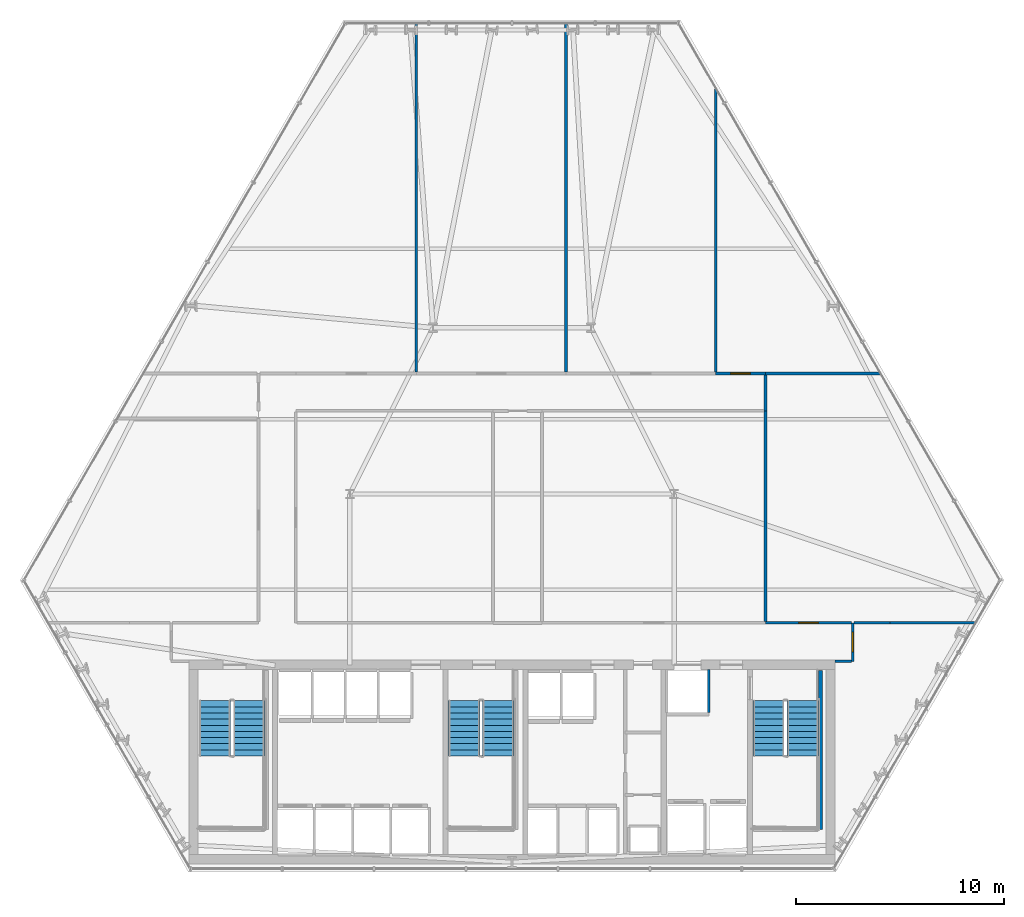
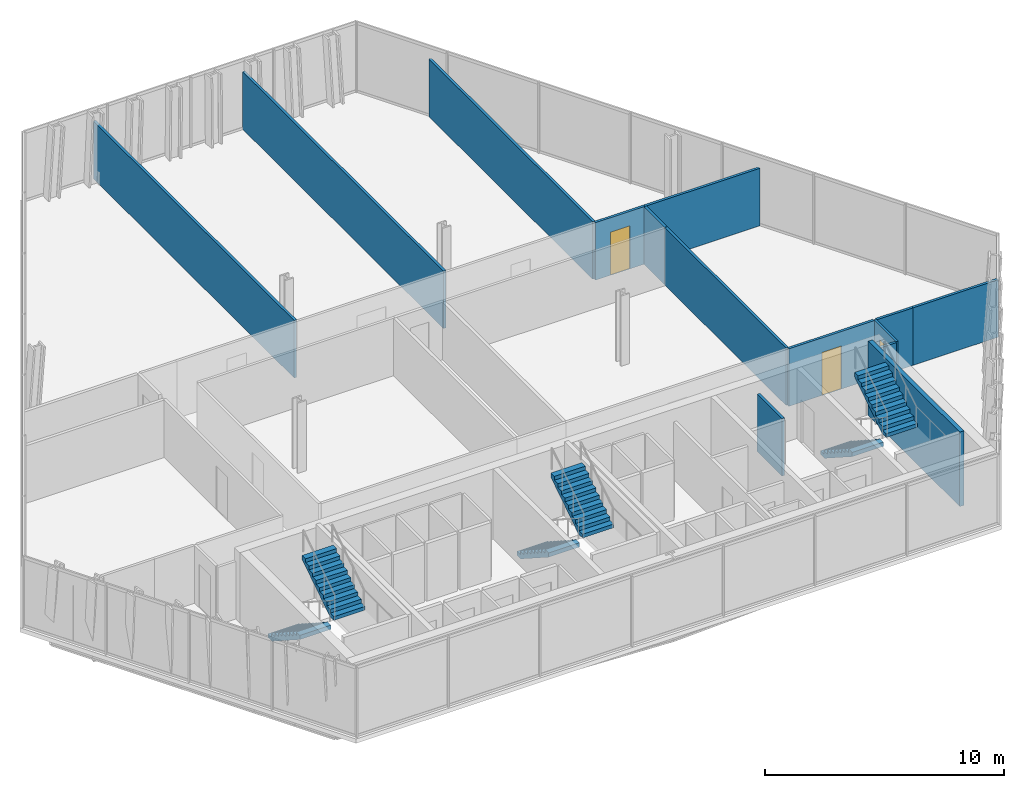
# One storey, part 29 of 32: 14 walls, 6 stair flights, 3 doors, 3 openings, 3 elements without a shape of their own.
"""IFC4 building model written with IfcOpenShell, lengths in metres."""

from ifc_helpers import new_model, si_unit, direction, frame, frame_2d, origin, place, context, subcontext, project, spatial, polyline, rectangle, outline, extrude, material, layer, layer_set, type_object, element, fill, aggregate, save


model = new_model("IFC4")

# Units and contexts
model_context = context("Model", 3, precision=1e-05, world=origin(), true_north=direction((0.0, 1.0)))
body_context = subcontext(model_context, "Body", "Model", "MODEL_VIEW")
ifc_project = project(units=[si_unit("LENGTHUNIT", "METRE"), si_unit("AREAUNIT", "SQUARE_METRE"), si_unit("VOLUMEUNIT", "CUBIC_METRE"), si_unit("PLANEANGLEUNIT", "RADIAN"), si_unit("MASSUNIT", "GRAM", prefix="KILO")], contexts=[model_context])

# Site, building, storey
site_placement = place(None, origin())
site = spatial("IfcSite", under=ifc_project, at=site_placement, CompositionType="ELEMENT")
building_placement = place(site_placement, origin())
building = spatial("IfcBuilding", under=site, at=building_placement, Name="Ndaravel Arena Tower", CompositionType="ELEMENT")
storey_placement = place(building_placement, frame((0.0, 0.0, 55.0)))
storey = spatial("IfcBuildingStorey", under=building, at=storey_placement, Name="L11", CompositionType="ELEMENT", Elevation=55.0)

# Wall, opening, door
ifc_material_1 = material(Name="Timber", Category="wood")
ifc_layer_1 = layer(ifc_material_1, 0.10009765625)
ifc_layer_set_1 = layer_set([ifc_layer_1], Name="Timber")
wall_type_1 = type_object("IfcWallType", Name="WALL-MOVABLE-100", PredefinedType="MOVABLE", material=ifc_layer_set_1)
wall_1_placement = place(storey_placement, frame((58.39990234375, 17.0, 0.0), z_axis=(0.0, 0.0, 1.0), x_axis=(0.0, -1.0, 0.0)))
wall_1 = element("IfcWall", 1, at=wall_1_placement, inside=storey, type_object=wall_type_1, Name="L11 Interior Partition 001", PredefinedType="MOVABLE", context=body_context, shape_type="SweptSolid", body=[
    extrude(rectangle(XDim=1.85009765625, YDim=0.10009765625, at=frame_2d((0.925048828125, 0.0))), origin(), (0.0, 0.0, 1.0), 2.932861328125),
])
opening_1_placement = place(wall_1_placement, frame((0.449951171875, 0.0, 0.0)))
opening_1 = element("IfcOpeningElement", 2, at=opening_1_placement, cuts=wall_1, Name="Opening ID-01", PredefinedType="OPENING", context=body_context, shape_type="SweptSolid", body=[
    extrude(rectangle(XDim=0.949951171875, YDim=2.199951171875, at=frame_2d((0.47509765625, 1.10009765625))), frame((0.0, 0.050048828125, 0.0), z_axis=(0.0, -1.0, 0.0), x_axis=(1.0, 0.0, 0.0)), (0.0, 0.0, 1.0), 0.10009765625),
])
ifc_material_2 = material(Name="Timber", Category="wood")
door_type = type_object("IfcDoorType", Name="DT-03-OFFICE-950", OperationType="SINGLE_SWING_LEFT", PredefinedType="DOOR", material=ifc_material_2)
door_1_placement = place(opening_1_placement, origin())
door_1 = element("IfcDoor", 3, at=door_1_placement, inside=storey, type_object=door_type, Name="L11 Collaborative Lounge Door", OperationType="SINGLE_SWING_LEFT", OverallHeight=2.199951171875, OverallWidth=0.949951171875, PredefinedType="DOOR", context=body_context, shape_type="SweptSolid", body=[
    extrude(rectangle(XDim=0.949951171875, YDim=2.199951171875, at=frame_2d((0.47509765625, 1.10009765625))), frame((0.0, 0.02490234375, 0.0), z_axis=(0.0, -1.0, 0.0), x_axis=(1.0, 0.0, 0.0)), (0.0, 0.0, 1.0), 0.050048828125),
])
fill(opening_1, door_1)

# Wall
ifc_material_3 = material(Name="Gypsum", Category="gypsum")
ifc_layer_2 = layer(ifc_material_3, 0.125)
ifc_layer_set_2 = layer_set([ifc_layer_2], Name="Gypsum")
wall_type_2 = type_object("IfcWallType", Name="WALL-PART-125", PredefinedType="PARTITIONING", material=ifc_layer_set_2)
wall_2_placement = place(storey_placement, frame((58.3349609375, 15.14990234375, 0.0), z_axis=(0.0, 0.0, 1.0), x_axis=(-1.0, 0.0, 0.0)))
element("IfcWall", 4, at=wall_2_placement, inside=storey, type_object=wall_type_2, Name="L11 Interior Partition 002", PredefinedType="PARTITIONING", context=body_context, shape_type="SweptSolid", body=[
    extrude(rectangle(XDim=0.784912109375, YDim=0.125, at=frame_2d((0.392578125, 0.0))), origin(), (0.0, 0.0, 1.0), 2.932861328125),
])

# Wall, opening, door
wall_3_placement = place(storey_placement, frame((51.800048828125, 29.0, 0.0), z_axis=(0.0, 0.0, 1.0), x_axis=(1.0, 0.0, 0.0)))
wall_3 = element("IfcWall", 5, at=wall_3_placement, inside=storey, type_object=wall_type_2, Name="L11 Interior Partition 012", PredefinedType="PARTITIONING", context=body_context, shape_type="SweptSolid", body=[
    extrude(rectangle(XDim=2.39990234375, YDim=0.125, at=frame_2d((1.199951171875, 0.0))), origin(), (0.0, 0.0, 1.0), 2.932861328125),
])
opening_2_placement = place(wall_3_placement, frame((0.72509765625, 0.0, 0.0)))
opening_2 = element("IfcOpeningElement", 6, at=opening_2_placement, cuts=wall_3, Name="Opening ID-01", PredefinedType="OPENING", context=body_context, shape_type="SweptSolid", body=[
    extrude(rectangle(XDim=0.949951171875, YDim=2.199951171875, at=frame_2d((0.47509765625, 1.10009765625))), frame((0.0, 0.0625, 0.0), z_axis=(0.0, -1.0, 0.0), x_axis=(1.0, 0.0, 0.0)), (0.0, 0.0, 1.0), 0.125),
])
door_2_placement = place(opening_2_placement, origin())
door_2 = element("IfcDoor", 7, at=door_2_placement, inside=storey, type_object=door_type, Name="L11 Hospitality Sitting Room 2 Door", OperationType="SINGLE_SWING_RIGHT", OverallHeight=2.199951171875, OverallWidth=0.949951171875, PredefinedType="DOOR", context=body_context, shape_type="SweptSolid", body=[
    extrude(rectangle(XDim=0.949951171875, YDim=2.199951171875, at=frame_2d((0.47509765625, 1.10009765625))), frame((0.0, 0.02490234375, 0.0), z_axis=(0.0, -1.0, 0.0), x_axis=(1.0, 0.0, 0.0)), (0.0, 0.0, 1.0), 0.050048828125),
])
fill(opening_2, door_2)

# Wall
wall_4_placement = place(storey_placement, frame((54.199951171875, 28.93505859375, 0.0), z_axis=(0.0, 0.0, 1.0), x_axis=(0.0, -1.0, 0.0)))
element("IfcWall", 8, at=wall_4_placement, inside=storey, type_object=wall_type_2, Name="L11 Interior Partition 013", PredefinedType="PARTITIONING", context=body_context, shape_type="SweptSolid", body=[
    extrude(rectangle(XDim=1.735107421875, YDim=0.125, at=frame_2d((0.86767578125, 0.0))), origin(), (0.0, 0.0, 1.0), 2.932861328125),
])

# Wall, opening, door
wall_5_placement = place(storey_placement, frame((54.199951171875, 17.0, 0.0), z_axis=(0.0, 0.0, 1.0), x_axis=(1.0, 0.0, 0.0)))
wall_5 = element("IfcWall", 9, at=wall_5_placement, inside=storey, type_object=wall_type_2, Name="L11 Interior Partition 021", PredefinedType="PARTITIONING", context=body_context, shape_type="SweptSolid", body=[
    extrude(rectangle(XDim=4.135009765625, YDim=0.125, at=frame_2d((2.0673828125, 0.0))), origin(), (0.0, 0.0, 1.0), 2.932861328125),
])
opening_3_placement = place(wall_5_placement, frame((1.592529296875, 0.0, 0.0)))
opening_3 = element("IfcOpeningElement", 10, at=opening_3_placement, cuts=wall_5, Name="Opening ID-01", PredefinedType="OPENING", context=body_context, shape_type="SweptSolid", body=[
    extrude(rectangle(XDim=0.949951171875, YDim=2.199951171875, at=frame_2d((0.47509765625, 1.10009765625))), frame((0.0, 0.0625, 0.0), z_axis=(0.0, -1.0, 0.0), x_axis=(1.0, 0.0, 0.0)), (0.0, 0.0, 1.0), 0.125),
])
door_3_placement = place(opening_3_placement, origin())
door_3 = element("IfcDoor", 11, at=door_3_placement, inside=storey, type_object=door_type, Name="L11 Advisory Desk Office 3 Door", OperationType="SINGLE_SWING_RIGHT", OverallHeight=2.199951171875, OverallWidth=0.949951171875, PredefinedType="DOOR", context=body_context, shape_type="SweptSolid", body=[
    extrude(rectangle(XDim=0.949951171875, YDim=2.199951171875, at=frame_2d((0.47509765625, 1.10009765625))), frame((0.0, 0.02490234375, 0.0), z_axis=(0.0, -1.0, 0.0), x_axis=(1.0, 0.0, 0.0)), (0.0, 0.0, 1.0), 0.050048828125),
])
fill(opening_3, door_3)

# Walls
wall_6_placement = place(storey_placement, frame((58.465087890625, 17.0, 0.0), z_axis=(0.0, 0.0, 1.0), x_axis=(1.0, 0.0, 0.0)))
element("IfcWall", 12, at=wall_6_placement, inside=storey, type_object=wall_type_2, Name="L11 Interior Partition 024", PredefinedType="PARTITIONING", context=body_context, shape_type="SweptSolid", body=[
    extrude(rectangle(XDim=1.73486328125, YDim=0.125, at=frame_2d((0.867431640625, 0.0))), origin(), (0.0, 0.0, 1.0), 2.932861328125),
])
wall_7_placement = place(storey_placement, frame((60.199951171875, 17.0, 0.0), z_axis=(0.0, 0.0, 1.0), x_axis=(1.0, 0.0, 0.0)))
element("IfcWall", 13, at=wall_7_placement, inside=storey, type_object=wall_type_2, Name="L11 Interior Partition 025", PredefinedType="PARTITIONING", context=body_context, shape_type="SweptSolid", body=[
    extrude(rectangle(XDim=4.11572265625, YDim=0.125, at=frame_2d((2.057861328125, 0.0))), origin(), (0.0, 0.0, 1.0), 2.932861328125),
])
wall_8_placement = place(storey_placement, frame((54.199951171875, 27.199951171875, 0.0), z_axis=(0.0, 0.0, 1.0), x_axis=(0.0, -1.0, 0.0)))
element("IfcWall", 14, at=wall_8_placement, inside=storey, type_object=wall_type_2, Name="L11 Interior Partition 029", PredefinedType="PARTITIONING", context=body_context, shape_type="SweptSolid", body=[
    extrude(rectangle(XDim=10.135009765625, YDim=0.125, at=frame_2d((5.0673828125, 0.0))), origin(), (0.0, 0.0, 1.0), 2.932861328125),
])
wall_9_placement = place(storey_placement, frame((54.199951171875, 29.0, 0.0), z_axis=(0.0, 0.0, 1.0), x_axis=(1.0, 0.0, 0.0)))
element("IfcWall", 15, at=wall_9_placement, inside=storey, type_object=wall_type_2, Name="L11 Interior Partition 030", PredefinedType="PARTITIONING", context=body_context, shape_type="SweptSolid", body=[
    extrude(rectangle(XDim=5.54248046875, YDim=0.125, at=frame_2d((2.771240234375, 0.0))), origin(), (0.0, 0.0, 1.0), 2.932861328125),
])
wall_10_placement = place(storey_placement, frame((51.800048828125, 29.06494140625, 0.0), z_axis=(0.0, 0.0, 1.0), x_axis=(0.0, 1.0, 0.0)))
element("IfcWall", 16, at=wall_10_placement, inside=storey, type_object=wall_type_2, Name="L11 Interior Partition 032", PredefinedType="PARTITIONING", context=body_context, shape_type="SweptSolid", body=[
    extrude(rectangle(XDim=13.69189453125, YDim=0.125, at=frame_2d((6.845947265625, 0.0))), origin(), (0.0, 0.0, 1.0), 2.932861328125),
])
for number, where, z_axis, x_axis, name in (
    (17, (37.39990234375, 45.851318359375, 0.0), (0.0, 0.0, 1.0), (0.0, -1.0, 0.0), "L11 Interior Partition 033"),
    (18, (44.60009765625, 29.06494140625, 0.0), (0.0, 0.0, 1.0), (0.0, 1.0, 0.0), "L11 Interior Partition 034"),
):
    element("IfcWall", number, at=place(storey_placement, frame(where, z_axis=z_axis, x_axis=x_axis)), inside=storey, type_object=wall_type_2, Name=name, PredefinedType="PARTITIONING", context=body_context, shape_type="SweptSolid", body=[
        extrude(rectangle(XDim=16.786376953125, YDim=0.125, at=frame_2d((8.39306640625, 0.0))), origin(), (0.0, 0.0, 1.0), 2.932861328125),
    ])
ifc_material_4 = material(Name="Concrete C40/50", Category="concrete")
ifc_layer_3 = layer(ifc_material_4, 0.1201171875)
ifc_layer_set_3 = layer_set([ifc_layer_3], Name="Concrete C40/50")
wall_type_3 = type_object("IfcWallType", Name="WALL-SHAFT-120", PredefinedType="SOLIDWALL", material=ifc_layer_set_3)
wall_11_placement = place(storey_placement, frame((51.47998046875, 12.68994140625, 0.0), z_axis=(0.0, 0.0, 1.0), x_axis=(0.0, 1.0, 0.0)))
element("IfcWall", 19, at=wall_11_placement, inside=storey, type_object=wall_type_3, Name="L11 SVL-1 Shaft E Wall", PredefinedType="SOLIDWALL", context=body_context, shape_type="SweptSolid", body=[
    extrude(rectangle(XDim=2.070068359375, YDim=0.1201171875, at=frame_2d((1.03515625, 0.0))), origin(), (0.0, 0.0, 1.0), 2.932861328125),
])
ifc_material_5 = material(Name="Concrete C40/50", Category="concrete")
ifc_layer_4 = layer(ifc_material_5, 0.199951171875)
ifc_layer_set_4 = layer_set([ifc_layer_4], Name="Concrete C40/50")
wall_type_4 = type_object("IfcWallType", Name="WALL-SHAFT-200", PredefinedType="SOLIDWALL", material=ifc_layer_set_4)
wall_12_placement = place(storey_placement, frame((56.840087890625, 14.699951171875, 0.0), z_axis=(0.0, 0.0, 1.0), x_axis=(0.0, -1.0, 0.0)))
element("IfcWall", 20, at=wall_12_placement, inside=storey, type_object=wall_type_4, Name="L11 ST-3 Structural Shaft Wall Right", PredefinedType="SOLIDWALL", context=body_context, shape_type="SweptSolid", body=[
    extrude(rectangle(XDim=7.64990234375, YDim=0.199951171875, at=frame_2d((3.824951171875, 0.0))), origin(), (0.0, 0.0, 1.0), 3.800048828125),
])

# Stair, stair flights
ifc_material_6 = material(Name="Concrete C40/50", Category="concrete")
stair_type = type_object("IfcStairType", Name="STAIR-CORE-HT", PredefinedType="HALF_TURN_STAIR", material=ifc_material_6)
stair_1_placement = place(storey_placement, origin())
stair_1 = element("IfcStair", 21, at=stair_1_placement, inside=storey, type_object=stair_type, Name="L11 ST-1", PredefinedType="HALF_TURN_STAIR")
ifc_material_7 = material(Name="Concrete C40/50", Category="concrete")
stair_flight_type = type_object("IfcStairFlightType", Name="SFLIGHT-CORE-1680", PredefinedType="STRAIGHT", material=ifc_material_7)
stair_flight_1_placement = place(storey_placement, frame((27.699951171875, 13.25, 0.0), z_axis=(0.0, 0.0, 1.0), x_axis=(0.0, -1.0, 0.0)))
stair_flight_1 = element("IfcStairFlight", 22, at=stair_flight_1_placement, type_object=stair_flight_type, Name="ST-1 flight 1", NumberOfRisers=10, NumberOfTreads=9, PredefinedType="STRAIGHT", RiserHeight=0.19, TreadLength=0.295, context=body_context, shape_type="SweptSolid", body=[
    extrude(outline(polyline([(0.0, 0.0), (0.0, 0.18994140625), (0.294921875, 0.18994140625), (0.294921875, 0.3798828125), (0.590087890625, 0.3798828125), (0.590087890625, 0.570068359375), (0.885009765625, 0.570068359375), (0.885009765625, 0.760009765625), (1.179931640625, 0.760009765625), (1.179931640625, 0.949951171875), (1.47509765625, 0.949951171875), (1.47509765625, 1.139892578125), (1.77001953125, 1.139892578125), (1.77001953125, 1.330078125), (2.06494140625, 1.330078125), (2.06494140625, 1.52001953125), (2.360107421875, 1.52001953125), (2.360107421875, 1.7099609375), (2.655029296875, 1.7099609375), (2.655029296875, 1.89990234375), (2.655029296875, 1.49609375), (0.332275390625, 0.0), (0.0, 0.0)])), frame((0.0, 0.75, 0.0), z_axis=(0.0, -1.0, 0.0), x_axis=(1.0, 0.0, 0.0)), (0.0, 0.0, 1.0), 1.5),
])
stair_flight_2_placement = place(storey_placement, frame((29.340087890625, 10.594970703125, 1.89990234375), z_axis=(0.0, 0.0, 1.0), x_axis=(0.0, 1.0, 0.0)))
stair_flight_2 = element("IfcStairFlight", 23, at=stair_flight_2_placement, type_object=stair_flight_type, Name="ST-1 flight 2", NumberOfRisers=10, NumberOfTreads=9, PredefinedType="STRAIGHT", RiserHeight=0.19, TreadLength=0.295, context=body_context, shape_type="SweptSolid", body=[
    extrude(outline(polyline([(0.0, 0.0), (0.0, 0.18994140625), (0.294921875, 0.18994140625), (0.294921875, 0.3798828125), (0.590087890625, 0.3798828125), (0.590087890625, 0.570068359375), (0.885009765625, 0.570068359375), (0.885009765625, 0.760009765625), (1.179931640625, 0.760009765625), (1.179931640625, 0.949951171875), (1.47509765625, 0.949951171875), (1.47509765625, 1.139892578125), (1.77001953125, 1.139892578125), (1.77001953125, 1.330078125), (2.06494140625, 1.330078125), (2.06494140625, 1.52001953125), (2.360107421875, 1.52001953125), (2.360107421875, 1.7099609375), (2.655029296875, 1.7099609375), (2.655029296875, 1.89990234375), (2.655029296875, 1.49609375), (0.332275390625, 0.0), (0.0, 0.0)])), frame((0.0, 0.75, 0.0), z_axis=(0.0, -1.0, 0.0), x_axis=(1.0, 0.0, 0.0)), (0.0, 0.0, 1.0), 1.5),
])
aggregate(stair_1, [stair_flight_1, stair_flight_2])

stair_2_placement = place(storey_placement, origin())
stair_2 = element("IfcStair", 24, at=stair_2_placement, inside=storey, type_object=stair_type, Name="L11 ST-2", PredefinedType="HALF_TURN_STAIR")
stair_flight_3_placement = place(storey_placement, frame((39.699951171875, 13.25, 0.0), z_axis=(0.0, 0.0, 1.0), x_axis=(0.0, -1.0, 0.0)))
stair_flight_3 = element("IfcStairFlight", 25, at=stair_flight_3_placement, type_object=stair_flight_type, Name="ST-2 flight 1", NumberOfRisers=10, NumberOfTreads=9, PredefinedType="STRAIGHT", RiserHeight=0.19, TreadLength=0.295, context=body_context, shape_type="SweptSolid", body=[
    extrude(outline(polyline([(0.0, 0.0), (0.0, 0.18994140625), (0.294921875, 0.18994140625), (0.294921875, 0.3798828125), (0.590087890625, 0.3798828125), (0.590087890625, 0.570068359375), (0.885009765625, 0.570068359375), (0.885009765625, 0.760009765625), (1.179931640625, 0.760009765625), (1.179931640625, 0.949951171875), (1.47509765625, 0.949951171875), (1.47509765625, 1.139892578125), (1.77001953125, 1.139892578125), (1.77001953125, 1.330078125), (2.06494140625, 1.330078125), (2.06494140625, 1.52001953125), (2.360107421875, 1.52001953125), (2.360107421875, 1.7099609375), (2.655029296875, 1.7099609375), (2.655029296875, 1.89990234375), (2.655029296875, 1.49609375), (0.332275390625, 0.0), (0.0, 0.0)])), frame((0.0, 0.75, 0.0), z_axis=(0.0, -1.0, 0.0), x_axis=(1.0, 0.0, 0.0)), (0.0, 0.0, 1.0), 1.5),
])
stair_flight_4_placement = place(storey_placement, frame((41.340087890625, 10.594970703125, 1.89990234375), z_axis=(0.0, 0.0, 1.0), x_axis=(0.0, 1.0, 0.0)))
stair_flight_4 = element("IfcStairFlight", 26, at=stair_flight_4_placement, type_object=stair_flight_type, Name="ST-2 flight 2", NumberOfRisers=10, NumberOfTreads=9, PredefinedType="STRAIGHT", RiserHeight=0.19, TreadLength=0.295, context=body_context, shape_type="SweptSolid", body=[
    extrude(outline(polyline([(0.0, 0.0), (0.0, 0.18994140625), (0.294921875, 0.18994140625), (0.294921875, 0.3798828125), (0.590087890625, 0.3798828125), (0.590087890625, 0.570068359375), (0.885009765625, 0.570068359375), (0.885009765625, 0.760009765625), (1.179931640625, 0.760009765625), (1.179931640625, 0.949951171875), (1.47509765625, 0.949951171875), (1.47509765625, 1.139892578125), (1.77001953125, 1.139892578125), (1.77001953125, 1.330078125), (2.06494140625, 1.330078125), (2.06494140625, 1.52001953125), (2.360107421875, 1.52001953125), (2.360107421875, 1.7099609375), (2.655029296875, 1.7099609375), (2.655029296875, 1.89990234375), (2.655029296875, 1.49609375), (0.332275390625, 0.0), (0.0, 0.0)])), frame((0.0, 0.75, 0.0), z_axis=(0.0, -1.0, 0.0), x_axis=(1.0, 0.0, 0.0)), (0.0, 0.0, 1.0), 1.5),
])
aggregate(stair_2, [stair_flight_3, stair_flight_4])

stair_3_placement = place(storey_placement, origin())
stair_3 = element("IfcStair", 27, at=stair_3_placement, inside=storey, type_object=stair_type, Name="L11 ST-3", PredefinedType="HALF_TURN_STAIR")
stair_flight_5_placement = place(storey_placement, frame((54.35009765625, 13.25, 0.0), z_axis=(0.0, 0.0, 1.0), x_axis=(0.0, -1.0, 0.0)))
stair_flight_5 = element("IfcStairFlight", 28, at=stair_flight_5_placement, type_object=stair_flight_type, Name="ST-3 flight 1", NumberOfRisers=10, NumberOfTreads=9, PredefinedType="STRAIGHT", RiserHeight=0.19, TreadLength=0.295, context=body_context, shape_type="SweptSolid", body=[
    extrude(outline(polyline([(0.0, 0.0), (0.0, 0.18994140625), (0.294921875, 0.18994140625), (0.294921875, 0.3798828125), (0.590087890625, 0.3798828125), (0.590087890625, 0.570068359375), (0.885009765625, 0.570068359375), (0.885009765625, 0.760009765625), (1.179931640625, 0.760009765625), (1.179931640625, 0.949951171875), (1.47509765625, 0.949951171875), (1.47509765625, 1.139892578125), (1.77001953125, 1.139892578125), (1.77001953125, 1.330078125), (2.06494140625, 1.330078125), (2.06494140625, 1.52001953125), (2.360107421875, 1.52001953125), (2.360107421875, 1.7099609375), (2.655029296875, 1.7099609375), (2.655029296875, 1.89990234375), (2.655029296875, 1.49609375), (0.332275390625, 0.0), (0.0, 0.0)])), frame((0.0, 0.75, 0.0), z_axis=(0.0, -1.0, 0.0), x_axis=(1.0, 0.0, 0.0)), (0.0, 0.0, 1.0), 1.5),
])
stair_flight_6_placement = place(storey_placement, frame((55.989990234375, 10.594970703125, 1.89990234375), z_axis=(0.0, 0.0, 1.0), x_axis=(0.0, 1.0, 0.0)))
stair_flight_6 = element("IfcStairFlight", 29, at=stair_flight_6_placement, type_object=stair_flight_type, Name="ST-3 flight 2", NumberOfRisers=10, NumberOfTreads=9, PredefinedType="STRAIGHT", RiserHeight=0.19, TreadLength=0.295, context=body_context, shape_type="SweptSolid", body=[
    extrude(outline(polyline([(0.0, 0.0), (0.0, 0.18994140625), (0.294921875, 0.18994140625), (0.294921875, 0.3798828125), (0.590087890625, 0.3798828125), (0.590087890625, 0.570068359375), (0.885009765625, 0.570068359375), (0.885009765625, 0.760009765625), (1.179931640625, 0.760009765625), (1.179931640625, 0.949951171875), (1.47509765625, 0.949951171875), (1.47509765625, 1.139892578125), (1.77001953125, 1.139892578125), (1.77001953125, 1.330078125), (2.06494140625, 1.330078125), (2.06494140625, 1.52001953125), (2.360107421875, 1.52001953125), (2.360107421875, 1.7099609375), (2.655029296875, 1.7099609375), (2.655029296875, 1.89990234375), (2.655029296875, 1.49609375), (0.332275390625, 0.0), (0.0, 0.0)])), frame((0.0, 0.75, 0.0), z_axis=(0.0, -1.0, 0.0), x_axis=(1.0, 0.0, 0.0)), (0.0, 0.0, 1.0), 1.5),
])
aggregate(stair_3, [stair_flight_5, stair_flight_6])

save(model, "model.ifc")
